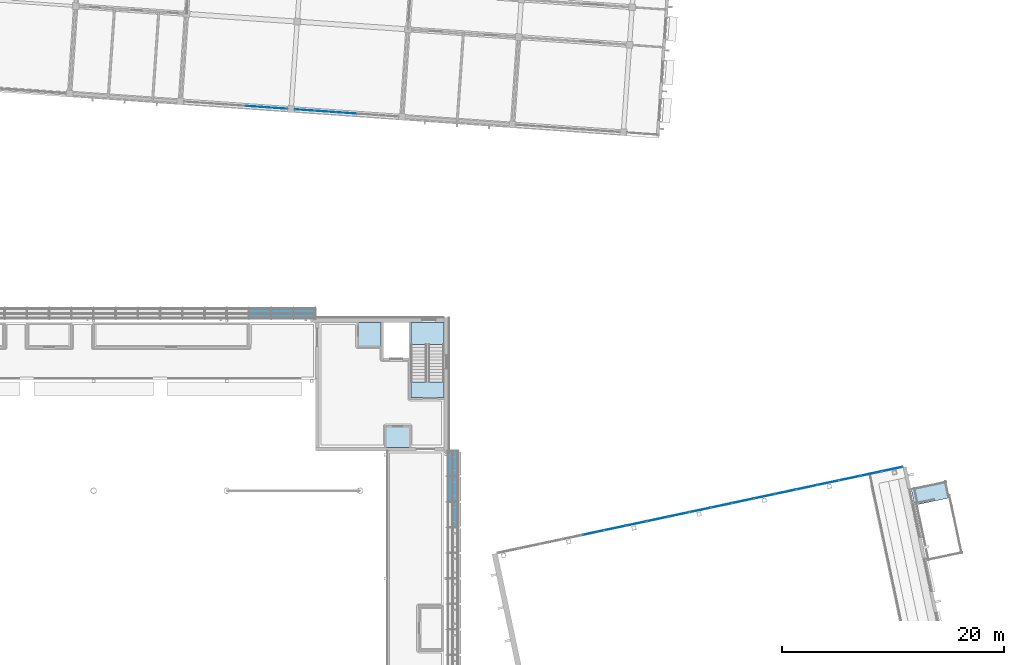
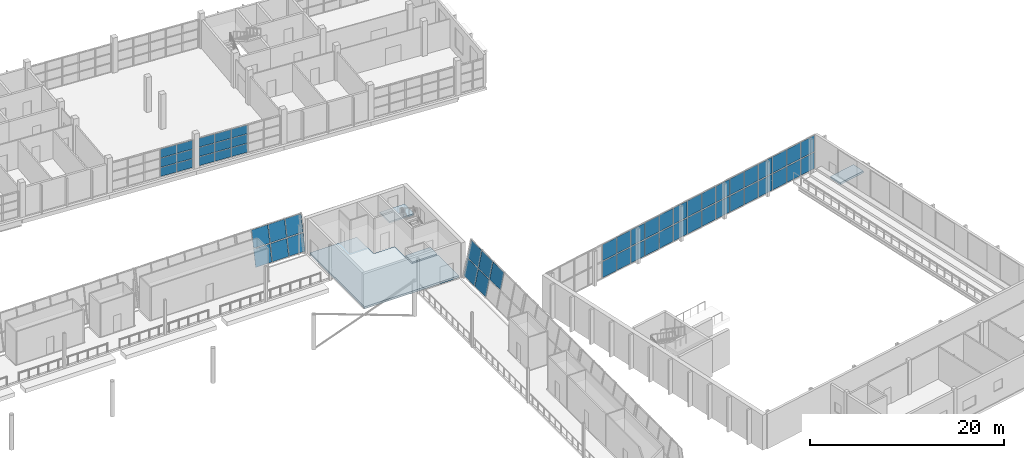
# One storey, part 56 of 115: 56 plates, 4 slabs, 6 elements without a shape of their own.
"""IFC4 building model written with IfcOpenShell, lengths in metres."""

from ifc_helpers import new_model, si_unit, direction, frame, origin, origin_2d, place, context, subcontext, project, spatial, polyline, rectangle, outline, extrude, material, layer, layer_set, type_object, element, aggregate, save


model = new_model("IFC4")

# Units and contexts
model_context = context("Model", 3, precision=1e-05, world=origin(), true_north=direction((0.0, 1.0)))
body_context = subcontext(model_context, "Body", "Model", "MODEL_VIEW")
ifc_project = project(units=[si_unit("LENGTHUNIT", "METRE"), si_unit("AREAUNIT", "SQUARE_METRE"), si_unit("VOLUMEUNIT", "CUBIC_METRE"), si_unit("PLANEANGLEUNIT", "RADIAN"), si_unit("MASSUNIT", "GRAM", prefix="KILO")], contexts=[model_context])

# Site, building, storey
site_placement = place(None, origin())
site = spatial("IfcSite", under=ifc_project, at=site_placement, CompositionType="ELEMENT")
building_placement = place(site_placement, origin())
building = spatial("IfcBuilding", under=site, at=building_placement, Name="Windward Yard Aquatics Centre", CompositionType="ELEMENT")
storey_placement = place(building_placement, frame((0.0, 0.0, 5.0)))
storey = spatial("IfcBuildingStorey", under=building, at=storey_placement, Name="L01", CompositionType="ELEMENT", Elevation=5.0)

# Curtain wall, plates
ifc_material_1 = material(Name="Aluminium and glass", Category="aluminium")
ifc_layer_1 = layer(ifc_material_1, 0.159912109375)
ifc_layer_set_1 = layer_set([ifc_layer_1], Name="D curtain wall 160")
curtain_wall_type_1 = type_object("IfcCurtainWallType", Name="D curtain wall 160", PredefinedType="NOTDEFINED", material=ifc_layer_set_1)
curtain_wall_1_placement = place(storey_placement, origin())
curtain_wall_1 = element("IfcCurtainWall", 1, at=curtain_wall_1_placement, inside=storey, type_object=curtain_wall_type_1, Name="North glazing L01", PredefinedType="NOTDEFINED")
ifc_material_2 = material(Name="Laminated low-iron glass", Category="glass")
ifc_layer_2 = layer(ifc_material_2, 0.028076171875)
ifc_layer_set_2 = layer_set([ifc_layer_2], Name="D curtain wall glass panel 28")
plate_type_1 = type_object("IfcPlateType", Name="D curtain wall glass panel 28", PredefinedType="CURTAIN_PANEL", material=ifc_layer_set_2)
plate_1_placement = place(storey_placement, frame((165.0224609375, 76.621337890625, 0.119873046875), z_axis=(0.0, 0.0, 1.0), x_axis=(0.978147594815, 0.207911718662, 0.0)))
plate_1 = element("IfcPlate", 2, at=plate_1_placement, type_object=plate_type_1, Name="DCW-L01 panel 5.1", PredefinedType="CURTAIN_PANEL", context=body_context, shape_type="SweptSolid", body=[
    extrude(rectangle(XDim=1.90576171875, YDim=0.028076171875, at=origin_2d()), origin(), (0.0, 0.0, 1.0), 2.02001953125),
])
plate_2_placement = place(storey_placement, frame((165.0224609375, 76.621337890625, 2.260009765625), z_axis=(0.0, 0.0, 1.0), x_axis=(0.978147594815, 0.207911718662, 0.0)))
plate_2 = element("IfcPlate", 3, at=plate_2_placement, type_object=plate_type_1, Name="DCW-L01 panel 5.2", PredefinedType="CURTAIN_PANEL", context=body_context, shape_type="SweptSolid", body=[
    extrude(rectangle(XDim=1.90576171875, YDim=0.028076171875, at=origin_2d()), origin(), (0.0, 0.0, 1.0), 2.02001953125),
])
plate_3_placement = place(storey_placement, frame((166.9453125, 77.030029296875, 0.119873046875), z_axis=(0.0, 0.0, 1.0), x_axis=(0.978147594815, 0.207911718662, 0.0)))
plate_3 = element("IfcPlate", 4, at=plate_3_placement, type_object=plate_type_1, Name="DCW-L01 panel 6.1", PredefinedType="CURTAIN_PANEL", context=body_context, shape_type="SweptSolid", body=[
    extrude(rectangle(XDim=1.90576171875, YDim=0.028076171875, at=origin_2d()), origin(), (0.0, 0.0, 1.0), 2.02001953125),
])
plate_4_placement = place(storey_placement, frame((166.9453125, 77.030029296875, 2.260009765625), z_axis=(0.0, 0.0, 1.0), x_axis=(0.978147594815, 0.207911718662, 0.0)))
plate_4 = element("IfcPlate", 5, at=plate_4_placement, type_object=plate_type_1, Name="DCW-L01 panel 6.2", PredefinedType="CURTAIN_PANEL", context=body_context, shape_type="SweptSolid", body=[
    extrude(rectangle(XDim=1.90576171875, YDim=0.028076171875, at=origin_2d()), origin(), (0.0, 0.0, 1.0), 2.02001953125),
])
plate_5_placement = place(storey_placement, frame((168.8681640625, 77.438720703125, 0.119873046875), z_axis=(0.0, 0.0, 1.0), x_axis=(0.978147594815, 0.207911718662, 0.0)))
plate_5 = element("IfcPlate", 6, at=plate_5_placement, type_object=plate_type_1, Name="DCW-L01 panel 7.1", PredefinedType="CURTAIN_PANEL", context=body_context, shape_type="SweptSolid", body=[
    extrude(rectangle(XDim=1.90576171875, YDim=0.028076171875, at=origin_2d()), origin(), (0.0, 0.0, 1.0), 2.02001953125),
])
plate_6_placement = place(storey_placement, frame((168.8681640625, 77.438720703125, 2.260009765625), z_axis=(0.0, 0.0, 1.0), x_axis=(0.978147594815, 0.207911718662, 0.0)))
plate_6 = element("IfcPlate", 7, at=plate_6_placement, type_object=plate_type_1, Name="DCW-L01 panel 7.2", PredefinedType="CURTAIN_PANEL", context=body_context, shape_type="SweptSolid", body=[
    extrude(rectangle(XDim=1.90576171875, YDim=0.028076171875, at=origin_2d()), origin(), (0.0, 0.0, 1.0), 2.02001953125),
])
plate_7_placement = place(storey_placement, frame((170.791015625, 77.847412109375, 0.119873046875), z_axis=(0.0, 0.0, 1.0), x_axis=(0.978147594815, 0.207911718662, 0.0)))
plate_7 = element("IfcPlate", 8, at=plate_7_placement, type_object=plate_type_1, Name="DCW-L01 panel 8.1", PredefinedType="CURTAIN_PANEL", context=body_context, shape_type="SweptSolid", body=[
    extrude(rectangle(XDim=1.90576171875, YDim=0.028076171875, at=origin_2d()), origin(), (0.0, 0.0, 1.0), 2.02001953125),
])
plate_8_placement = place(storey_placement, frame((170.791015625, 77.847412109375, 2.260009765625), z_axis=(0.0, 0.0, 1.0), x_axis=(0.978147594815, 0.207911718662, 0.0)))
plate_8 = element("IfcPlate", 9, at=plate_8_placement, type_object=plate_type_1, Name="DCW-L01 panel 8.2", PredefinedType="CURTAIN_PANEL", context=body_context, shape_type="SweptSolid", body=[
    extrude(rectangle(XDim=1.90576171875, YDim=0.028076171875, at=origin_2d()), origin(), (0.0, 0.0, 1.0), 2.02001953125),
])
plate_9_placement = place(storey_placement, frame((172.7138671875, 78.256103515625, 0.119873046875), z_axis=(0.0, 0.0, 1.0), x_axis=(0.978147594815, 0.207911718662, 0.0)))
plate_9 = element("IfcPlate", 10, at=plate_9_placement, type_object=plate_type_1, Name="DCW-L01 panel 9.1", PredefinedType="CURTAIN_PANEL", context=body_context, shape_type="SweptSolid", body=[
    extrude(rectangle(XDim=1.90576171875, YDim=0.028076171875, at=origin_2d()), origin(), (0.0, 0.0, 1.0), 2.02001953125),
])
plate_10_placement = place(storey_placement, frame((172.7138671875, 78.256103515625, 2.260009765625), z_axis=(0.0, 0.0, 1.0), x_axis=(0.978147594815, 0.207911718662, 0.0)))
plate_10 = element("IfcPlate", 11, at=plate_10_placement, type_object=plate_type_1, Name="DCW-L01 panel 9.2", PredefinedType="CURTAIN_PANEL", context=body_context, shape_type="SweptSolid", body=[
    extrude(rectangle(XDim=1.90576171875, YDim=0.028076171875, at=origin_2d()), origin(), (0.0, 0.0, 1.0), 2.02001953125),
])
plate_11_placement = place(storey_placement, frame((174.63671875, 78.664794921875, 0.119873046875), z_axis=(0.0, 0.0, 1.0), x_axis=(0.978147594815, 0.207911718662, 0.0)))
plate_11 = element("IfcPlate", 12, at=plate_11_placement, type_object=plate_type_1, Name="DCW-L01 panel 10.1", PredefinedType="CURTAIN_PANEL", context=body_context, shape_type="SweptSolid", body=[
    extrude(rectangle(XDim=1.90576171875, YDim=0.028076171875, at=origin_2d()), origin(), (0.0, 0.0, 1.0), 2.02001953125),
])
plate_12_placement = place(storey_placement, frame((174.63671875, 78.664794921875, 2.260009765625), z_axis=(0.0, 0.0, 1.0), x_axis=(0.978147594815, 0.207911718662, 0.0)))
plate_12 = element("IfcPlate", 13, at=plate_12_placement, type_object=plate_type_1, Name="DCW-L01 panel 10.2", PredefinedType="CURTAIN_PANEL", context=body_context, shape_type="SweptSolid", body=[
    extrude(rectangle(XDim=1.90576171875, YDim=0.028076171875, at=origin_2d()), origin(), (0.0, 0.0, 1.0), 2.02001953125),
])
plate_13_placement = place(storey_placement, frame((176.5595703125, 79.073486328125, 0.119873046875), z_axis=(0.0, 0.0, 1.0), x_axis=(0.978147594815, 0.207911718662, 0.0)))
plate_13 = element("IfcPlate", 14, at=plate_13_placement, type_object=plate_type_1, Name="DCW-L01 panel 11.1", PredefinedType="CURTAIN_PANEL", context=body_context, shape_type="SweptSolid", body=[
    extrude(rectangle(XDim=1.90576171875, YDim=0.028076171875, at=origin_2d()), origin(), (0.0, 0.0, 1.0), 2.02001953125),
])
plate_14_placement = place(storey_placement, frame((176.5595703125, 79.073486328125, 2.260009765625), z_axis=(0.0, 0.0, 1.0), x_axis=(0.978147594815, 0.207911718662, 0.0)))
plate_14 = element("IfcPlate", 15, at=plate_14_placement, type_object=plate_type_1, Name="DCW-L01 panel 11.2", PredefinedType="CURTAIN_PANEL", context=body_context, shape_type="SweptSolid", body=[
    extrude(rectangle(XDim=1.90576171875, YDim=0.028076171875, at=origin_2d()), origin(), (0.0, 0.0, 1.0), 2.02001953125),
])
plate_15_placement = place(storey_placement, frame((178.482421875, 79.482177734375, 0.119873046875), z_axis=(0.0, 0.0, 1.0), x_axis=(0.978147594815, 0.207911718662, 0.0)))
plate_15 = element("IfcPlate", 16, at=plate_15_placement, type_object=plate_type_1, Name="DCW-L01 panel 12.1", PredefinedType="CURTAIN_PANEL", context=body_context, shape_type="SweptSolid", body=[
    extrude(rectangle(XDim=1.90576171875, YDim=0.028076171875, at=origin_2d()), origin(), (0.0, 0.0, 1.0), 2.02001953125),
])
plate_16_placement = place(storey_placement, frame((178.482421875, 79.482177734375, 2.260009765625), z_axis=(0.0, 0.0, 1.0), x_axis=(0.978147594815, 0.207911718662, 0.0)))
plate_16 = element("IfcPlate", 17, at=plate_16_placement, type_object=plate_type_1, Name="DCW-L01 panel 12.2", PredefinedType="CURTAIN_PANEL", context=body_context, shape_type="SweptSolid", body=[
    extrude(rectangle(XDim=1.90576171875, YDim=0.028076171875, at=origin_2d()), origin(), (0.0, 0.0, 1.0), 2.02001953125),
])
plate_17_placement = place(storey_placement, frame((180.4052734375, 79.890869140625, 0.119873046875), z_axis=(0.0, 0.0, 1.0), x_axis=(0.978147594815, 0.207911718662, 0.0)))
plate_17 = element("IfcPlate", 18, at=plate_17_placement, type_object=plate_type_1, Name="DCW-L01 panel 13.1", PredefinedType="CURTAIN_PANEL", context=body_context, shape_type="SweptSolid", body=[
    extrude(rectangle(XDim=1.90576171875, YDim=0.028076171875, at=origin_2d()), origin(), (0.0, 0.0, 1.0), 2.02001953125),
])
plate_18_placement = place(storey_placement, frame((180.4052734375, 79.890869140625, 2.260009765625), z_axis=(0.0, 0.0, 1.0), x_axis=(0.978147594815, 0.207911718662, 0.0)))
plate_18 = element("IfcPlate", 19, at=plate_18_placement, type_object=plate_type_1, Name="DCW-L01 panel 13.2", PredefinedType="CURTAIN_PANEL", context=body_context, shape_type="SweptSolid", body=[
    extrude(rectangle(XDim=1.90576171875, YDim=0.028076171875, at=origin_2d()), origin(), (0.0, 0.0, 1.0), 2.02001953125),
])
plate_19_placement = place(storey_placement, frame((182.328125, 80.2998046875, 0.119873046875), z_axis=(0.0, 0.0, 1.0), x_axis=(0.978147594815, 0.207911718662, 0.0)))
plate_19 = element("IfcPlate", 20, at=plate_19_placement, type_object=plate_type_1, Name="DCW-L01 panel 14.1", PredefinedType="CURTAIN_PANEL", context=body_context, shape_type="SweptSolid", body=[
    extrude(rectangle(XDim=1.90576171875, YDim=0.028076171875, at=origin_2d()), origin(), (0.0, 0.0, 1.0), 2.02001953125),
])
plate_20_placement = place(storey_placement, frame((182.328125, 80.2998046875, 2.260009765625), z_axis=(0.0, 0.0, 1.0), x_axis=(0.978147594815, 0.207911718662, 0.0)))
plate_20 = element("IfcPlate", 21, at=plate_20_placement, type_object=plate_type_1, Name="DCW-L01 panel 14.2", PredefinedType="CURTAIN_PANEL", context=body_context, shape_type="SweptSolid", body=[
    extrude(rectangle(XDim=1.90576171875, YDim=0.028076171875, at=origin_2d()), origin(), (0.0, 0.0, 1.0), 2.02001953125),
])
plate_21_placement = place(storey_placement, frame((184.2509765625, 80.70849609375, 0.119873046875), z_axis=(0.0, 0.0, 1.0), x_axis=(0.978147594815, 0.207911718662, 0.0)))
plate_21 = element("IfcPlate", 22, at=plate_21_placement, type_object=plate_type_1, Name="DCW-L01 panel 15.1", PredefinedType="CURTAIN_PANEL", context=body_context, shape_type="SweptSolid", body=[
    extrude(rectangle(XDim=1.90576171875, YDim=0.028076171875, at=origin_2d()), origin(), (0.0, 0.0, 1.0), 2.02001953125),
])
plate_22_placement = place(storey_placement, frame((184.2509765625, 80.70849609375, 2.260009765625), z_axis=(0.0, 0.0, 1.0), x_axis=(0.978147594815, 0.207911718662, 0.0)))
plate_22 = element("IfcPlate", 23, at=plate_22_placement, type_object=plate_type_1, Name="DCW-L01 panel 15.2", PredefinedType="CURTAIN_PANEL", context=body_context, shape_type="SweptSolid", body=[
    extrude(rectangle(XDim=1.90576171875, YDim=0.028076171875, at=origin_2d()), origin(), (0.0, 0.0, 1.0), 2.02001953125),
])
plate_23_placement = place(storey_placement, frame((186.173583984375, 81.1171875, 0.119873046875), z_axis=(0.0, 0.0, 1.0), x_axis=(0.978147594815, 0.207911718662, 0.0)))
plate_23 = element("IfcPlate", 24, at=plate_23_placement, type_object=plate_type_1, Name="DCW-L01 panel 16.1", PredefinedType="CURTAIN_PANEL", context=body_context, shape_type="SweptSolid", body=[
    extrude(rectangle(XDim=1.90576171875, YDim=0.028076171875, at=origin_2d()), origin(), (0.0, 0.0, 1.0), 2.02001953125),
])
plate_24_placement = place(storey_placement, frame((186.173583984375, 81.1171875, 2.260009765625), z_axis=(0.0, 0.0, 1.0), x_axis=(0.978147594815, 0.207911718662, 0.0)))
plate_24 = element("IfcPlate", 25, at=plate_24_placement, type_object=plate_type_1, Name="DCW-L01 panel 16.2", PredefinedType="CURTAIN_PANEL", context=body_context, shape_type="SweptSolid", body=[
    extrude(rectangle(XDim=1.90576171875, YDim=0.028076171875, at=origin_2d()), origin(), (0.0, 0.0, 1.0), 2.02001953125),
])
plate_25_placement = place(storey_placement, frame((188.096435546875, 81.52587890625, 0.119873046875), z_axis=(0.0, 0.0, 1.0), x_axis=(0.978147594815, 0.207911718662, 0.0)))
plate_25 = element("IfcPlate", 26, at=plate_25_placement, type_object=plate_type_1, Name="DCW-L01 panel 17.1", PredefinedType="CURTAIN_PANEL", context=body_context, shape_type="SweptSolid", body=[
    extrude(rectangle(XDim=1.90576171875, YDim=0.028076171875, at=origin_2d()), origin(), (0.0, 0.0, 1.0), 2.02001953125),
])
plate_26_placement = place(storey_placement, frame((188.096435546875, 81.52587890625, 2.260009765625), z_axis=(0.0, 0.0, 1.0), x_axis=(0.978147594815, 0.207911718662, 0.0)))
plate_26 = element("IfcPlate", 27, at=plate_26_placement, type_object=plate_type_1, Name="DCW-L01 panel 17.2", PredefinedType="CURTAIN_PANEL", context=body_context, shape_type="SweptSolid", body=[
    extrude(rectangle(XDim=1.90576171875, YDim=0.028076171875, at=origin_2d()), origin(), (0.0, 0.0, 1.0), 2.02001953125),
])
plate_27_placement = place(storey_placement, frame((190.019287109375, 81.9345703125, 0.119873046875), z_axis=(0.0, 0.0, 1.0), x_axis=(0.978147594815, 0.207911718662, 0.0)))
plate_27 = element("IfcPlate", 28, at=plate_27_placement, type_object=plate_type_1, Name="DCW-L01 panel 18.1", PredefinedType="CURTAIN_PANEL", context=body_context, shape_type="SweptSolid", body=[
    extrude(rectangle(XDim=1.90576171875, YDim=0.028076171875, at=origin_2d()), origin(), (0.0, 0.0, 1.0), 2.02001953125),
])
plate_28_placement = place(storey_placement, frame((190.019287109375, 81.9345703125, 2.260009765625), z_axis=(0.0, 0.0, 1.0), x_axis=(0.978147594815, 0.207911718662, 0.0)))
plate_28 = element("IfcPlate", 29, at=plate_28_placement, type_object=plate_type_1, Name="DCW-L01 panel 18.2", PredefinedType="CURTAIN_PANEL", context=body_context, shape_type="SweptSolid", body=[
    extrude(rectangle(XDim=1.90576171875, YDim=0.028076171875, at=origin_2d()), origin(), (0.0, 0.0, 1.0), 2.02001953125),
])
plate_29_placement = place(storey_placement, frame((191.927490234375, 82.340087890625, 0.119873046875), z_axis=(0.0, 0.0, 1.0), x_axis=(0.978147594815, 0.207911718662, 0.0)))
plate_29 = element("IfcPlate", 30, at=plate_29_placement, type_object=plate_type_1, Name="DCW-L01 panel 19.1", PredefinedType="CURTAIN_PANEL", context=body_context, shape_type="SweptSolid", body=[
    extrude(rectangle(XDim=1.875732421875, YDim=0.028076171875, at=origin_2d()), origin(), (0.0, 0.0, 1.0), 2.02001953125),
])
plate_30_placement = place(storey_placement, frame((191.927490234375, 82.340087890625, 2.260009765625), z_axis=(0.0, 0.0, 1.0), x_axis=(0.978147594815, 0.207911718662, 0.0)))
plate_30 = element("IfcPlate", 31, at=plate_30_placement, type_object=plate_type_1, Name="DCW-L01 panel 19.2", PredefinedType="CURTAIN_PANEL", context=body_context, shape_type="SweptSolid", body=[
    extrude(rectangle(XDim=1.875732421875, YDim=0.028076171875, at=origin_2d()), origin(), (0.0, 0.0, 1.0), 2.02001953125),
])
aggregate(curtain_wall_1, [plate_1, plate_2, plate_3, plate_4, plate_5, plate_6, plate_7, plate_8, plate_9, plate_10, plate_11, plate_12, plate_13, plate_14, plate_15, plate_16, plate_17, plate_18, plate_19, plate_20, plate_21, plate_22, plate_23, plate_24, plate_25, plate_26, plate_27, plate_28, plate_29, plate_30])

# Slabs
ifc_material_3 = material(Name="Concrete C35/45", Category="concrete")
ifc_layer_3 = layer(ifc_material_3, 0.25)
ifc_layer_set_3 = layer_set([ifc_layer_3], Name="D escape landing slab 250")
slab_type_1 = type_object("IfcSlabType", Name="D escape landing slab 250", PredefinedType="FLOOR", material=ifc_layer_set_3)
slab_1_placement = place(storey_placement, frame((0.0, 0.0, -0.25)))
element("IfcSlab", 32, at=slab_1_placement, inside=storey, type_object=slab_type_1, Name="D.S.ESCL", PredefinedType="FLOOR", context=body_context, shape_type="SweptSolid", body=[
    extrude(outline(polyline([(193.623291015625, 80.604736328125), (193.945556640625, 79.088623046875), (197.07568359375, 79.75390625), (196.75341796875, 81.27001953125), (193.623291015625, 80.604736328125)])), origin(), (0.0, 0.0, 1.0), 0.25),
])
ifc_layer_4 = layer(ifc_material_3, 0.25)
ifc_layer_set_4 = layer_set([ifc_layer_4], Name="H Core Floor Concrete C35/45 250")
slab_type_2 = type_object("IfcSlabType", Name="H Core Floor Concrete C35/45 250", PredefinedType="FLOOR", material=ifc_layer_set_4)
slab_2_placement = place(storey_placement, frame((0.0, 0.0, -0.25)))
element("IfcSlab", 33, at=slab_2_placement, inside=storey, type_object=slab_type_2, Name="L01 core floor NE", PredefinedType="FLOOR", context=body_context, shape_type="SweptSolid", body=[
    extrude(outline(polyline([(140.300048828125, 84.300048828125), (151.550048828125, 84.300048828125), (151.550048828125, 88.60009765625), (148.39990234375, 88.60009765625), (148.39990234375, 92.14990234375), (145.89990234375, 92.14990234375), (145.89990234375, 95.550048828125), (140.300048828125, 95.550048828125), (140.300048828125, 84.300048828125)])), origin(), (0.0, 0.0, 1.0), 0.25),
])
slab_3_placement = place(storey_placement, frame((0.0, 0.0, -0.25)))
element("IfcSlab", 34, at=slab_3_placement, inside=storey, type_object=slab_type_2, Name="L01 stair floor landing NE", PredefinedType="FLOOR", context=body_context, shape_type="SweptSolid", body=[
    extrude(outline(polyline([(148.60009765625, 88.800048828125), (151.550048828125, 88.800048828125), (151.550048828125, 90.199951171875), (148.60009765625, 90.199951171875), (148.60009765625, 88.800048828125)])), origin(), (0.0, 0.0, 1.0), 0.25),
])

# Stair, slab
stair_type = type_object("IfcStairType", Name="H Core Stair Concrete C35/45 1400", PredefinedType="HALF_TURN_STAIR", material=ifc_material_3)
stair_placement = place(storey_placement, origin())
stair = element("IfcStair", 35, at=stair_placement, inside=storey, type_object=stair_type, Name="L01 Stair NE", PredefinedType="HALF_TURN_STAIR")
ifc_layer_5 = layer(ifc_material_3, 0.199951171875)
ifc_layer_set_5 = layer_set([ifc_layer_5], Name="H Stair Landing Concrete C35/45 200")
slab_type_3 = type_object("IfcSlabType", Name="H Stair Landing Concrete C35/45 200", PredefinedType="LANDING", material=ifc_layer_set_5)
slab_4_placement = place(storey_placement, frame((0.0, 0.0, 2.0)))
slab_4 = element("IfcSlab", 36, at=slab_4_placement, type_object=slab_type_3, Name="ST4 landing 1", PredefinedType="LANDING", context=body_context, shape_type="SweptSolid", body=[
    extrude(outline(polyline([(148.60009765625, 93.56005859375), (151.550048828125, 93.56005859375), (151.550048828125, 95.550048828125), (148.60009765625, 95.550048828125), (148.60009765625, 93.56005859375)])), origin(), (0.0, 0.0, 1.0), 0.199951171875),
])
aggregate(stair, [slab_4])

# Curtain wall, plates
ifc_material_4 = material(Name="Glass and aluminium curtain wall", Category="aluminium")
ifc_layer_6 = layer(ifc_material_4, 0.179931640625)
ifc_layer_set_6 = layer_set([ifc_layer_6], Name="H curtain wall tier 1 double glazed 8+16+8")
curtain_wall_type_2 = type_object("IfcCurtainWallType", Name="H curtain wall tier 1 double glazed 8+16+8", PredefinedType="NOTDEFINED", material=ifc_layer_set_6)
curtain_wall_2_placement = place(storey_placement, origin())
curtain_wall_2 = element("IfcCurtainWall", 37, at=curtain_wall_2_placement, inside=storey, type_object=curtain_wall_type_2, Name="Tier 1 glazing N L01", PredefinedType="NOTDEFINED")
ifc_material_5 = material(Name="Low-iron glass", Category="glass")
ifc_layer_7 = layer(ifc_material_5, 0.008, Name="Outer pane")
ifc_material_6 = material(Name="Argon-filled cavity")
ifc_layer_8 = layer(ifc_material_6, 0.016, Name="Cavity")
ifc_layer_9 = layer(ifc_material_5, 0.008, Name="Inner pane")
ifc_layer_set_7 = layer_set([ifc_layer_7, ifc_layer_8, ifc_layer_9], Name="H tier 1 glass low-e double glazed unit 32")
plate_type_2 = type_object("IfcPlateType", Name="H tier 1 glass low-e double glazed unit 32", PredefinedType="CURTAIN_PANEL", material=ifc_layer_set_7)
plate_31_placement = place(storey_placement, frame((134.033203125, 95.913818359375, 0.107666015625), z_axis=(0.0, -0.979937049238, 0.19930724907), x_axis=(1.0, 0.0, 0.0)))
plate_31 = element("IfcPlate", 38, at=plate_31_placement, type_object=plate_type_2, Name="G1NB panel 17.1", PredefinedType="CURTAIN_PANEL", context=body_context, shape_type="SweptSolid", body=[
    extrude(outline(polyline([(0.0, 0.0), (1.934814, 0.0), (1.934814, 2.088533), (0.0, 2.088533), (0.0, 0.0)])), origin(), (0.0, 0.0, -1.0), 0.031982421875),
])
plate_32_placement = place(storey_placement, frame((134.033203125, 96.35009765625, 2.252197265625), z_axis=(0.0, -0.979920842931, 0.199386914289), x_axis=(1.0, 0.0, 0.0)))
plate_32 = element("IfcPlate", 39, at=plate_32_placement, type_object=plate_type_2, Name="G1NB panel 17.2", PredefinedType="CURTAIN_PANEL", context=body_context, shape_type="SweptSolid", body=[
    extrude(outline(polyline([(0.0, 0.0), (1.934814, 0.0), (1.934814, 2.095045), (0.0, 2.095045), (0.0, 0.0)])), origin(), (0.0, 0.0, -1.0), 0.031982421875),
])
plate_33_placement = place(storey_placement, frame((136.032958984375, 95.913818359375, 0.107666015625), z_axis=(0.0, -0.979937049238, 0.19930724907), x_axis=(1.0, 0.0, 0.0)))
plate_33 = element("IfcPlate", 40, at=plate_33_placement, type_object=plate_type_2, Name="G1NB panel 18.1", PredefinedType="CURTAIN_PANEL", context=body_context, shape_type="SweptSolid", body=[
    extrude(outline(polyline([(0.0, 0.0), (1.934814, 0.0), (1.934814, 2.088533), (0.0, 2.088533), (0.0, 0.0)])), origin(), (0.0, 0.0, -1.0), 0.031982421875),
])
plate_34_placement = place(storey_placement, frame((136.032958984375, 96.35009765625, 2.252197265625), z_axis=(0.0, -0.979920842931, 0.199386914289), x_axis=(1.0, 0.0, 0.0)))
plate_34 = element("IfcPlate", 41, at=plate_34_placement, type_object=plate_type_2, Name="G1NB panel 18.2", PredefinedType="CURTAIN_PANEL", context=body_context, shape_type="SweptSolid", body=[
    extrude(outline(polyline([(0.0, 0.0), (1.934814, 0.0), (1.934814, 2.095045), (0.0, 2.095045), (0.0, 0.0)])), origin(), (0.0, 0.0, -1.0), 0.031982421875),
])
plate_35_placement = place(storey_placement, frame((138.03271484375, 95.913818359375, 0.107666015625), z_axis=(0.0, -0.979937049238, 0.19930724907), x_axis=(1.0, 0.0, 0.0)))
plate_35 = element("IfcPlate", 42, at=plate_35_placement, type_object=plate_type_2, Name="G1NB panel 19.1", PredefinedType="CURTAIN_PANEL", context=body_context, shape_type="SweptSolid", body=[
    extrude(outline(polyline([(0.0, 0.0), (1.902344, 0.0), (1.902344, 2.088533), (0.0, 2.088533), (0.0, 0.0)])), origin(), (0.0, 0.0, -1.0), 0.031982421875),
])
plate_36_placement = place(storey_placement, frame((138.03271484375, 96.35009765625, 2.252197265625), z_axis=(0.0, -0.979920842931, 0.199386914289), x_axis=(1.0, 0.0, 0.0)))
plate_36 = element("IfcPlate", 43, at=plate_36_placement, type_object=plate_type_2, Name="G1NB panel 19.2", PredefinedType="CURTAIN_PANEL", context=body_context, shape_type="SweptSolid", body=[
    extrude(outline(polyline([(0.0, 0.0), (1.902344, 0.0), (1.902344, 2.095045), (0.0, 2.095045), (0.0, 0.0)])), origin(), (0.0, 0.0, -1.0), 0.031982421875),
])
aggregate(curtain_wall_2, [plate_31, plate_32, plate_33, plate_34, plate_35, plate_36])

curtain_wall_3_placement = place(storey_placement, origin())
curtain_wall_3 = element("IfcCurtainWall", 44, at=curtain_wall_3_placement, inside=storey, type_object=curtain_wall_type_2, Name="Tier 1 glazing E L01", PredefinedType="NOTDEFINED")
plate_37_placement = place(storey_placement, frame((152.35009765625, 77.132568359375, 2.252197265625), z_axis=(-0.979920842931, 0.0, 0.199386914289), x_axis=(0.0, 1.0, 0.0)))
plate_37 = element("IfcPlate", 45, at=plate_37_placement, type_object=plate_type_2, Name="G1EA panel 18.2", PredefinedType="CURTAIN_PANEL", context=body_context, shape_type="SweptSolid", body=[
    extrude(outline(polyline([(0.0, 0.0), (2.234863, 0.0), (2.234863, -2.095045), (0.0, -2.095045), (0.0, 0.0)])), origin(), (0.0, 0.0, -1.0), 0.031982421875),
])
plate_38_placement = place(storey_placement, frame((151.913818359375, 79.4326171875, 0.107666015625), z_axis=(-0.979937049238, 0.0, 0.19930724907), x_axis=(0.0, 1.0, 0.0)))
plate_38 = element("IfcPlate", 46, at=plate_38_placement, type_object=plate_type_2, Name="G1EA panel 19.1", PredefinedType="CURTAIN_PANEL", context=body_context, shape_type="SweptSolid", body=[
    extrude(outline(polyline([(0.0, 0.0), (2.234863, 0.0), (2.234863, -2.088533), (0.0, -2.088533), (0.0, 0.0)])), origin(), (0.0, 0.0, -1.0), 0.031982421875),
])
plate_39_placement = place(storey_placement, frame((152.35009765625, 79.4326171875, 2.252197265625), z_axis=(-0.979920842931, 0.0, 0.199386914289), x_axis=(0.0, 1.0, 0.0)))
plate_39 = element("IfcPlate", 47, at=plate_39_placement, type_object=plate_type_2, Name="G1EA panel 19.2", PredefinedType="CURTAIN_PANEL", context=body_context, shape_type="SweptSolid", body=[
    extrude(outline(polyline([(0.0, 0.0), (2.234863, 0.0), (2.234863, -2.095045), (0.0, -2.095045), (0.0, 0.0)])), origin(), (0.0, 0.0, -1.0), 0.031982421875),
])
plate_40_placement = place(storey_placement, frame((151.913818359375, 81.732421875, 0.107666015625), z_axis=(-0.979937049238, 0.0, 0.19930724907), x_axis=(0.0, 1.0, 0.0)))
plate_40 = element("IfcPlate", 48, at=plate_40_placement, type_object=plate_type_2, Name="G1EA panel 20.1", PredefinedType="CURTAIN_PANEL", context=body_context, shape_type="SweptSolid", body=[
    extrude(outline(polyline([(0.0, 0.0), (2.202637, 0.0), (2.202637, -2.088533), (0.0, -2.088533), (0.0, 0.0)])), origin(), (0.0, 0.0, -1.0), 0.031982421875),
])
plate_41_placement = place(storey_placement, frame((152.35009765625, 81.732421875, 2.252197265625), z_axis=(-0.979920842931, 0.0, 0.199386914289), x_axis=(0.0, 1.0, 0.0)))
plate_41 = element("IfcPlate", 49, at=plate_41_placement, type_object=plate_type_2, Name="G1EA panel 20.2", PredefinedType="CURTAIN_PANEL", context=body_context, shape_type="SweptSolid", body=[
    extrude(outline(polyline([(0.0, 0.0), (2.202637, 0.0), (2.202637, -2.095045), (0.0, -2.095045), (0.0, 0.0)])), origin(), (0.0, 0.0, -1.0), 0.031982421875),
])
aggregate(curtain_wall_3, [plate_37, plate_38, plate_39, plate_40, plate_41])

ifc_material_7 = material(Name="Aluminium curtain wall system", Category="aluminium")
curtain_wall_type_3 = type_object("IfcCurtainWallType", Name="W curtain wall 1900", PredefinedType="NOTDEFINED", material=ifc_material_7)
curtain_wall_4_placement = place(storey_placement, origin())
curtain_wall_4 = element("IfcCurtainWall", 50, at=curtain_wall_4_placement, inside=storey, type_object=curtain_wall_type_3, Name="Wing south glazing L01 3", PredefinedType="NOTDEFINED")
ifc_material_8 = material(Name="Double glazed unit")
ifc_layer_10 = layer(ifc_material_8, 0.028076171875)
ifc_layer_set_8 = layer_set([ifc_layer_10], Name="W CW panel IGU 28")
plate_type_3 = type_object("IfcPlateType", Name="W CW panel IGU 28", PredefinedType="CURTAIN_PANEL", material=ifc_layer_set_8)
plate_42_placement = place(storey_placement, frame((134.677734375, 114.989990234375, 0.06005859375), z_axis=(0.0, 0.0, 1.0), x_axis=(0.997564129531, -0.069755340111, 0.0)))
plate_42 = element("IfcPlate", 51, at=plate_42_placement, type_object=plate_type_3, Name="WCW1 panel 4.1", PredefinedType="CURTAIN_PANEL", context=body_context, shape_type="SweptSolid", body=[
    extrude(rectangle(XDim=1.820068359375, YDim=0.028076171875, at=origin_2d()), origin(), (0.0, 0.0, 1.0), 1.10009765625),
])
plate_43_placement = place(storey_placement, frame((134.677734375, 114.989990234375, 1.219970703125), z_axis=(0.0, 0.0, 1.0), x_axis=(0.997564129531, -0.069755340111, 0.0)))
plate_43 = element("IfcPlate", 52, at=plate_43_placement, type_object=plate_type_3, Name="WCW1 panel 4.2", PredefinedType="CURTAIN_PANEL", context=body_context, shape_type="SweptSolid", body=[
    extrude(rectangle(XDim=1.820068359375, YDim=0.028076171875, at=origin_2d()), origin(), (0.0, 0.0, 1.0), 1.1298828125),
])
plate_44_placement = place(storey_placement, frame((134.677734375, 114.989990234375, 2.409912109375), z_axis=(0.0, 0.0, 1.0), x_axis=(0.997564129531, -0.069755340111, 0.0)))
plate_44 = element("IfcPlate", 53, at=plate_44_placement, type_object=plate_type_3, Name="WCW1 panel 4.3", PredefinedType="CURTAIN_PANEL", context=body_context, shape_type="SweptSolid", body=[
    extrude(rectangle(XDim=1.820068359375, YDim=0.028076171875, at=origin_2d()), origin(), (0.0, 0.0, 1.0), 1.10009765625),
])
plate_45_placement = place(storey_placement, frame((136.538330078125, 114.85986328125, 0.06005859375), z_axis=(0.0, 0.0, 1.0), x_axis=(0.997564129531, -0.069755340111, 0.0)))
plate_45 = element("IfcPlate", 54, at=plate_45_placement, type_object=plate_type_3, Name="WCW1 panel 5.1", PredefinedType="CURTAIN_PANEL", context=body_context, shape_type="SweptSolid", body=[
    extrude(rectangle(XDim=1.7900390625, YDim=0.028076171875, at=origin_2d()), origin(), (0.0, 0.0, 1.0), 1.10009765625),
])
plate_46_placement = place(storey_placement, frame((136.538330078125, 114.85986328125, 1.219970703125), z_axis=(0.0, 0.0, 1.0), x_axis=(0.997564129531, -0.069755340111, 0.0)))
plate_46 = element("IfcPlate", 55, at=plate_46_placement, type_object=plate_type_3, Name="WCW1 panel 5.2", PredefinedType="CURTAIN_PANEL", context=body_context, shape_type="SweptSolid", body=[
    extrude(rectangle(XDim=1.7900390625, YDim=0.028076171875, at=origin_2d()), origin(), (0.0, 0.0, 1.0), 1.1298828125),
])
plate_47_placement = place(storey_placement, frame((136.538330078125, 114.85986328125, 2.409912109375), z_axis=(0.0, 0.0, 1.0), x_axis=(0.997564129531, -0.069755340111, 0.0)))
plate_47 = element("IfcPlate", 56, at=plate_47_placement, type_object=plate_type_3, Name="WCW1 panel 5.3", PredefinedType="CURTAIN_PANEL", context=body_context, shape_type="SweptSolid", body=[
    extrude(rectangle(XDim=1.7900390625, YDim=0.028076171875, at=origin_2d()), origin(), (0.0, 0.0, 1.0), 1.10009765625),
])
aggregate(curtain_wall_4, [plate_42, plate_43, plate_44, plate_45, plate_46, plate_47])

curtain_wall_5_placement = place(storey_placement, origin())
curtain_wall_5 = element("IfcCurtainWall", 57, at=curtain_wall_5_placement, inside=storey, type_object=curtain_wall_type_3, Name="Wing south glazing L01 4", PredefinedType="NOTDEFINED")
plate_48_placement = place(storey_placement, frame((139.0419921875, 114.684814453125, 0.06005859375), z_axis=(0.0, 0.0, 1.0), x_axis=(0.997564129531, -0.069755340111, 0.0)))
plate_48 = element("IfcPlate", 58, at=plate_48_placement, type_object=plate_type_3, Name="WCW1 panel 1.1", PredefinedType="CURTAIN_PANEL", context=body_context, shape_type="SweptSolid", body=[
    extrude(rectangle(XDim=1.7900390625, YDim=0.028076171875, at=origin_2d()), origin(), (0.0, 0.0, 1.0), 1.10009765625),
])
plate_49_placement = place(storey_placement, frame((139.0419921875, 114.684814453125, 1.219970703125), z_axis=(0.0, 0.0, 1.0), x_axis=(0.997564129531, -0.069755340111, 0.0)))
plate_49 = element("IfcPlate", 59, at=plate_49_placement, type_object=plate_type_3, Name="WCW1 panel 1.2", PredefinedType="CURTAIN_PANEL", context=body_context, shape_type="SweptSolid", body=[
    extrude(rectangle(XDim=1.7900390625, YDim=0.028076171875, at=origin_2d()), origin(), (0.0, 0.0, 1.0), 1.1298828125),
])
plate_50_placement = place(storey_placement, frame((139.0419921875, 114.684814453125, 2.409912109375), z_axis=(0.0, 0.0, 1.0), x_axis=(0.997564129531, -0.069755340111, 0.0)))
plate_50 = element("IfcPlate", 60, at=plate_50_placement, type_object=plate_type_3, Name="WCW1 panel 1.3", PredefinedType="CURTAIN_PANEL", context=body_context, shape_type="SweptSolid", body=[
    extrude(rectangle(XDim=1.7900390625, YDim=0.028076171875, at=origin_2d()), origin(), (0.0, 0.0, 1.0), 1.10009765625),
])
plate_51_placement = place(storey_placement, frame((140.902587890625, 114.5546875, 0.06005859375), z_axis=(0.0, 0.0, 1.0), x_axis=(0.997564129531, -0.069755340111, 0.0)))
plate_51 = element("IfcPlate", 61, at=plate_51_placement, type_object=plate_type_3, Name="WCW1 panel 2.1", PredefinedType="CURTAIN_PANEL", context=body_context, shape_type="SweptSolid", body=[
    extrude(rectangle(XDim=1.820068359375, YDim=0.028076171875, at=origin_2d()), origin(), (0.0, 0.0, 1.0), 1.10009765625),
])
plate_52_placement = place(storey_placement, frame((140.902587890625, 114.5546875, 1.219970703125), z_axis=(0.0, 0.0, 1.0), x_axis=(0.997564129531, -0.069755340111, 0.0)))
plate_52 = element("IfcPlate", 62, at=plate_52_placement, type_object=plate_type_3, Name="WCW1 panel 2.2", PredefinedType="CURTAIN_PANEL", context=body_context, shape_type="SweptSolid", body=[
    extrude(rectangle(XDim=1.820068359375, YDim=0.028076171875, at=origin_2d()), origin(), (0.0, 0.0, 1.0), 1.1298828125),
])
plate_53_placement = place(storey_placement, frame((140.902587890625, 114.5546875, 2.409912109375), z_axis=(0.0, 0.0, 1.0), x_axis=(0.997564129531, -0.069755340111, 0.0)))
plate_53 = element("IfcPlate", 63, at=plate_53_placement, type_object=plate_type_3, Name="WCW1 panel 2.3", PredefinedType="CURTAIN_PANEL", context=body_context, shape_type="SweptSolid", body=[
    extrude(rectangle(XDim=1.820068359375, YDim=0.028076171875, at=origin_2d()), origin(), (0.0, 0.0, 1.0), 1.10009765625),
])
plate_54_placement = place(storey_placement, frame((142.77783203125, 114.423583984375, 0.06005859375), z_axis=(0.0, 0.0, 1.0), x_axis=(0.997564129531, -0.069755340111, 0.0)))
plate_54 = element("IfcPlate", 64, at=plate_54_placement, type_object=plate_type_3, Name="WCW1 panel 3.1", PredefinedType="CURTAIN_PANEL", context=body_context, shape_type="SweptSolid", body=[
    extrude(rectangle(XDim=1.820068359375, YDim=0.028076171875, at=origin_2d()), origin(), (0.0, 0.0, 1.0), 1.10009765625),
])
plate_55_placement = place(storey_placement, frame((142.77783203125, 114.423583984375, 1.219970703125), z_axis=(0.0, 0.0, 1.0), x_axis=(0.997564129531, -0.069755340111, 0.0)))
plate_55 = element("IfcPlate", 65, at=plate_55_placement, type_object=plate_type_3, Name="WCW1 panel 3.2", PredefinedType="CURTAIN_PANEL", context=body_context, shape_type="SweptSolid", body=[
    extrude(rectangle(XDim=1.820068359375, YDim=0.028076171875, at=origin_2d()), origin(), (0.0, 0.0, 1.0), 1.1298828125),
])
plate_56_placement = place(storey_placement, frame((142.77783203125, 114.423583984375, 2.409912109375), z_axis=(0.0, 0.0, 1.0), x_axis=(0.997564129531, -0.069755340111, 0.0)))
plate_56 = element("IfcPlate", 66, at=plate_56_placement, type_object=plate_type_3, Name="WCW1 panel 3.3", PredefinedType="CURTAIN_PANEL", context=body_context, shape_type="SweptSolid", body=[
    extrude(rectangle(XDim=1.820068359375, YDim=0.028076171875, at=origin_2d()), origin(), (0.0, 0.0, 1.0), 1.10009765625),
])
aggregate(curtain_wall_5, [plate_48, plate_49, plate_50, plate_51, plate_52, plate_53, plate_54, plate_55, plate_56])

save(model, "model.ifc")
